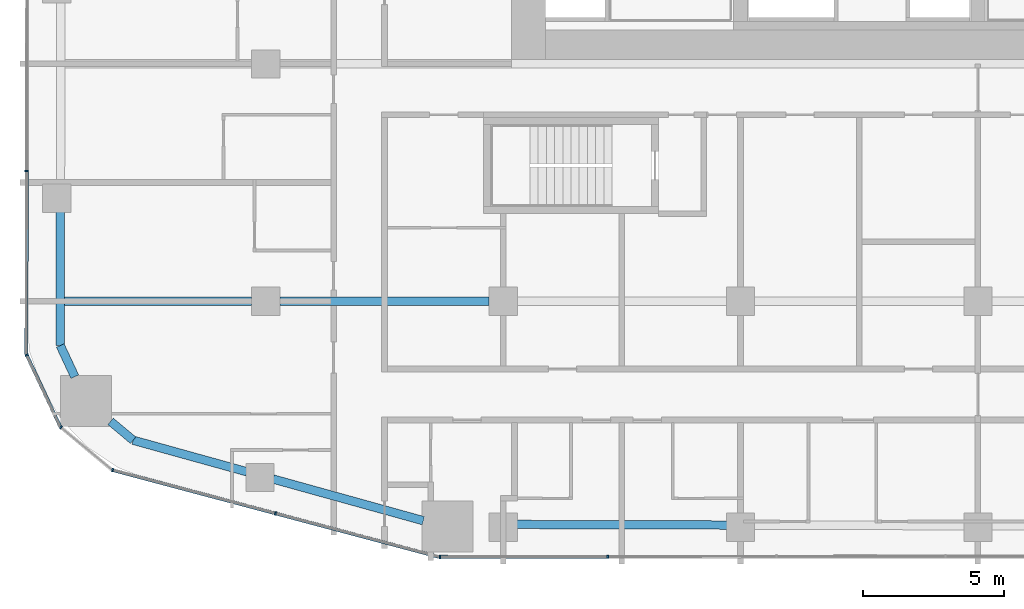
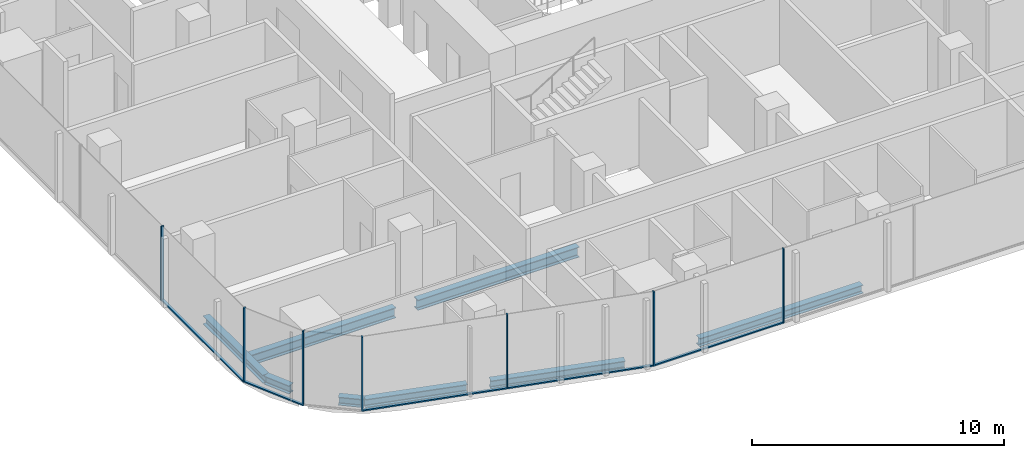
# One storey, part 2 of 26: 12 members, 8 beams, 5 elements without a shape of their own.
"""IFC4 building model written with IfcOpenShell, lengths in metres."""

from ifc_helpers import new_model, si_unit, direction, frame, origin, origin_2d, place, context, subcontext, project, spatial, rectangle, i_section, extrude, material, layer, layer_set, material_profile, profile_set, type_object, element, aggregate, save


model = new_model("IFC4")

# Units and contexts
model_context = context("Model", 3, precision=1e-05, world=origin(), true_north=direction((0.0, 1.0)))
body_context = subcontext(model_context, "Body", "Model", "MODEL_VIEW")
ifc_project = project(units=[si_unit("LENGTHUNIT", "METRE"), si_unit("AREAUNIT", "SQUARE_METRE"), si_unit("VOLUMEUNIT", "CUBIC_METRE"), si_unit("PLANEANGLEUNIT", "RADIAN"), si_unit("MASSUNIT", "GRAM", prefix="KILO")], contexts=[model_context])

# Site, building, storey
site_placement = place(None, origin())
site = spatial("IfcSite", under=ifc_project, at=site_placement, CompositionType="ELEMENT")
building_placement = place(site_placement, origin())
building = spatial("IfcBuilding", under=site, at=building_placement, Name="Marenta Gate Hotel Tower", CompositionType="ELEMENT")
storey_placement = place(building_placement, frame((0.0, 0.0, 58.10009765625)))
storey = spatial("IfcBuildingStorey", under=building, at=storey_placement, Name="L12", CompositionType="ELEMENT", Elevation=58.10009765625)

# Beams
ifc_material_1 = material(Name="Steel S355", Category="steel")
ifc_material_profile_1 = material_profile(ifc_material_1, i_section(OverallWidth=0.300048828125, OverallDepth=0.39990234375, WebThickness=0.013427734375, FlangeThickness=0.02392578125, FilletRadius=0.027099609375, at=origin_2d()), Name="HEB 400")
ifc_profile_set_1 = profile_set([ifc_material_profile_1], Name="Steel S355")
beam_type_1 = type_object("IfcBeamType", Name="Edge beam HEB 400", PredefinedType="SPANDREL", material=ifc_profile_set_1)
beam_1_placement = place(storey_placement, frame((-15.427734375, -16.166748046875, -0.460205078125), z_axis=(-0.963623684238, 0.267262782998, 0.0), x_axis=(-0.267262782998, -0.963623684238, 0.0)))
element("IfcBeam", 1, at=beam_1_placement, inside=storey, type_object=beam_type_1, Name="L12-EB-1", PredefinedType="SPANDREL", context=body_context, shape_type="SweptSolid", body=[
    extrude(i_section(OverallWidth=0.300048828125, OverallDepth=0.39990234375, WebThickness=0.013427734375, FlangeThickness=0.02392578125, FilletRadius=0.027099609375, at=origin_2d()), origin(), (0.0, 0.0, 1.0), 5.518310546875),
])
beam_2_placement = place(storey_placement, frame((-21.668212890625, -14.43603515625, -0.460205078125), z_axis=(-0.963617403201, 0.267285428426, 0.0), x_axis=(-0.267285428426, -0.963617403201, 0.0)))
element("IfcBeam", 2, at=beam_2_placement, inside=storey, type_object=beam_type_1, Name="L12-EB-2", PredefinedType="SPANDREL", context=body_context, shape_type="SweptSolid", body=[
    extrude(i_section(OverallWidth=0.300048828125, OverallDepth=0.39990234375, WebThickness=0.013427734375, FlangeThickness=0.02392578125, FilletRadius=0.027099609375, at=origin_2d()), origin(), (0.0, 0.0, 1.0), 4.1806640625),
])
beam_3_placement = place(storey_placement, frame((-25.69677734375, -13.318603515625, -0.460205078125), z_axis=(-0.767179911534, 0.641431978731, 0.0), x_axis=(-0.641431978731, -0.767179911534, 0.0)))
element("IfcBeam", 3, at=beam_3_placement, inside=storey, type_object=beam_type_1, Name="L12-EB-3", PredefinedType="SPANDREL", context=body_context, shape_type="SweptSolid", body=[
    extrude(i_section(OverallWidth=0.300048828125, OverallDepth=0.39990234375, WebThickness=0.013427734375, FlangeThickness=0.02392578125, FilletRadius=0.027099609375, at=origin_2d()), origin(), (0.0, 0.0, 1.0), 1.038818359375),
])
beam_4_placement = place(storey_placement, frame((-27.76025390625, -11.0693359375, -0.460205078125), z_axis=(-0.423291965192, 0.905993329006, 0.0), x_axis=(-0.905993329006, -0.423291965192, 0.0)))
element("IfcBeam", 4, at=beam_4_placement, inside=storey, type_object=beam_type_1, Name="L12-EB-4", PredefinedType="SPANDREL", context=body_context, shape_type="SweptSolid", body=[
    extrude(i_section(OverallWidth=0.300048828125, OverallDepth=0.39990234375, WebThickness=0.013427734375, FlangeThickness=0.02392578125, FilletRadius=0.027099609375, at=origin_2d()), origin(), (0.0, 0.0, 1.0), 1.21630859375),
])
beam_5_placement = place(storey_placement, frame((-28.275146484375, -9.96728515625, -0.460205078125), z_axis=(0.001386177947, 0.999999039255, 0.0), x_axis=(-0.999999039255, 0.001386177947, 0.0)))
element("IfcBeam", 5, at=beam_5_placement, inside=storey, type_object=beam_type_1, Name="L12-EB-5", PredefinedType="SPANDREL", context=body_context, shape_type="SweptSolid", body=[
    extrude(i_section(OverallWidth=0.300048828125, OverallDepth=0.39990234375, WebThickness=0.013427734375, FlangeThickness=0.02392578125, FilletRadius=0.027099609375, at=origin_2d()), origin(), (0.0, 0.0, 1.0), 4.75537109375),
])
beam_6_placement = place(storey_placement, frame((-4.659912109375, -16.31982421875, -0.460205078125), z_axis=(-0.999996151562, 0.002774321851, 0.0), x_axis=(-0.002774321851, -0.999996151562, 0.0)))
element("IfcBeam", 6, at=beam_6_placement, inside=storey, type_object=beam_type_1, Name="L12-EB-34", PredefinedType="SPANDREL", context=body_context, shape_type="SweptSolid", body=[
    extrude(i_section(OverallWidth=0.300048828125, OverallDepth=0.39990234375, WebThickness=0.013427734375, FlangeThickness=0.02392578125, FilletRadius=0.027099609375, at=origin_2d()), origin(), (0.0, 0.0, 1.0), 7.47998046875),
])
ifc_material_2 = material(Name="Steel S355", Category="steel")
ifc_material_profile_2 = material_profile(ifc_material_2, i_section(OverallWidth=0.300048828125, OverallDepth=0.5, WebThickness=0.014404296875, FlangeThickness=0.028076171875, FilletRadius=0.027099609375, at=origin_2d()), Name="HEB 500")
ifc_profile_set_2 = profile_set([ifc_material_profile_2], Name="Steel S355")
beam_type_2 = type_object("IfcBeamType", Name="Girder HEB 500", PredefinedType="BEAM", material=ifc_profile_set_2)
beam_7_placement = place(storey_placement, frame((-28.123046875, -8.39990234375, -0.510009765625), z_axis=(1.0, 0.0, 0.0), x_axis=(0.0, 1.0, 0.0)))
element("IfcBeam", 7, at=beam_7_placement, inside=storey, type_object=beam_type_2, Name="L12-GD-1", PredefinedType="BEAM", context=body_context, shape_type="SweptSolid", body=[
    extrude(i_section(OverallWidth=0.300048828125, OverallDepth=0.5, WebThickness=0.014404296875, FlangeThickness=0.028076171875, FilletRadius=0.027099609375, at=origin_2d()), origin(), (0.0, 0.0, 1.0), 6.623046875),
])
beam_8_placement = place(storey_placement, frame((-20.5, -8.39990234375, -0.510009765625), z_axis=(1.0, 0.0, 0.0), x_axis=(0.0, 1.0, 0.0)))
element("IfcBeam", 8, at=beam_8_placement, inside=storey, type_object=beam_type_2, Name="L12-GD-2", PredefinedType="BEAM", context=body_context, shape_type="SweptSolid", body=[
    extrude(i_section(OverallWidth=0.300048828125, OverallDepth=0.5, WebThickness=0.014404296875, FlangeThickness=0.028076171875, FilletRadius=0.027099609375, at=origin_2d()), origin(), (0.0, 0.0, 1.0), 7.39990234375),
])

# Curtain wall, member
ifc_material_3 = material(Name="Tinted insulated glass in bronze anodised frame", Category="glass")
ifc_layer = layer(ifc_material_3, 0.1201171875)
ifc_layer_set = layer_set([ifc_layer], Name="Tinted insulated glass in bronze anodised frame")
curtain_wall_type = type_object("IfcCurtainWallType", Name="Tower unitised curtain wall CW1", PredefinedType="NOTDEFINED", material=ifc_layer_set)
curtain_wall_1_placement = place(storey_placement, origin())
curtain_wall_1 = element("IfcCurtainWall", 9, at=curtain_wall_1_placement, inside=storey, type_object=curtain_wall_type, Name="CW1 run G03", PredefinedType="NOTDEFINED")
ifc_material_4 = material(Name="Bronze anodised aluminium", Category="aluminium")
ifc_material_profile_3 = material_profile(ifc_material_4, rectangle(XDim=0.1201171875, YDim=0.06005859375, at=origin_2d()), Name="Mullion CW1 60x120 bronze anodised aluminium")
ifc_profile_set_3 = profile_set([ifc_material_profile_3], Name="Bronze anodised aluminium")
member_type_1 = type_object("IfcMemberType", Name="Mullion CW1 60x120 bronze anodised aluminium", PredefinedType="MULLION", material=ifc_profile_set_3)
member_1_placement = place(storey_placement, frame((-29.463134765625, -3.78564453125, 0.0), z_axis=(0.0, 0.0, 1.0), x_axis=(0.99999877316, -0.00156642217, 0.0)))
member_1 = element("IfcMember", 10, at=member_1_placement, type_object=member_type_1, Name="CW1 mullion 6", PredefinedType="MULLION", context=body_context, shape_type="SweptSolid", body=[
    extrude(rectangle(XDim=0.1201171875, YDim=0.06005859375, at=origin_2d()), origin(), (0.0, 0.0, 1.0), 3.599853515625),
])

curtain_wall_2_placement = place(storey_placement, origin())
curtain_wall_2 = element("IfcCurtainWall", 11, at=curtain_wall_2_placement, inside=storey, type_object=curtain_wall_type, Name="CW1 run G04", PredefinedType="NOTDEFINED")
member_2_placement = place(storey_placement, frame((-29.460693359375, -10.30322265625, 0.0), z_axis=(0.0, 0.0, 1.0), x_axis=(0.905970129167, 0.423341617441, 0.0)))
member_2 = element("IfcMember", 12, at=member_2_placement, type_object=member_type_1, Name="CW1 mullion 1", PredefinedType="MULLION", context=body_context, shape_type="SweptSolid", body=[
    extrude(rectangle(XDim=0.1201171875, YDim=0.06005859375, at=origin_2d()), origin(), (0.0, 0.0, 1.0), 3.599853515625),
])

curtain_wall_3_placement = place(storey_placement, origin())
curtain_wall_3 = element("IfcCurtainWall", 13, at=curtain_wall_3_placement, inside=storey, type_object=curtain_wall_type, Name="CW1 run G05", PredefinedType="NOTDEFINED")
member_3_placement = place(storey_placement, frame((-28.25146484375, -12.86083984375, 0.0), z_axis=(0.0, 0.0, 1.0), x_axis=(0.641511984407, 0.767113012445, 0.0)))
member_3 = element("IfcMember", 14, at=member_3_placement, type_object=member_type_1, Name="CW1 mullion 1", PredefinedType="MULLION", context=body_context, shape_type="SweptSolid", body=[
    extrude(rectangle(XDim=0.1201171875, YDim=0.06005859375, at=origin_2d()), origin(), (0.0, 0.0, 1.0), 3.599853515625),
])
aggregate(curtain_wall_3, [member_3])

# Curtain wall, members
curtain_wall_4_placement = place(storey_placement, origin())
curtain_wall_4 = element("IfcCurtainWall", 15, at=curtain_wall_4_placement, inside=storey, type_object=curtain_wall_type, Name="CW1 run G06", PredefinedType="NOTDEFINED")
member_4_placement = place(storey_placement, frame((-26.42236328125, -14.3740234375, 0.0), z_axis=(0.0, 0.0, 1.0), x_axis=(0.257141675823, 0.966373715782, 0.0)))
member_4 = element("IfcMember", 16, at=member_4_placement, type_object=member_type_1, Name="CW1 mullion 1", PredefinedType="MULLION", context=body_context, shape_type="SweptSolid", body=[
    extrude(rectangle(XDim=0.1201171875, YDim=0.06005859375, at=origin_2d()), origin(), (0.0, 0.0, 1.0), 3.599853515625),
])
member_5_placement = place(storey_placement, frame((-20.660888671875, -15.906982421875, 0.0), z_axis=(0.0, 0.0, 1.0), x_axis=(0.257141675823, 0.966373715782, 0.0)))
member_5 = element("IfcMember", 17, at=member_5_placement, type_object=member_type_1, Name="CW1 mullion 2", PredefinedType="MULLION", context=body_context, shape_type="SweptSolid", body=[
    extrude(rectangle(XDim=0.1201171875, YDim=0.06005859375, at=origin_2d()), origin(), (0.0, 0.0, 1.0), 3.599853515625),
])

curtain_wall_5_placement = place(storey_placement, origin())
curtain_wall_5 = element("IfcCurtainWall", 18, at=curtain_wall_5_placement, inside=storey, type_object=curtain_wall_type, Name="CW1 run G07", PredefinedType="NOTDEFINED")
member_6_placement = place(storey_placement, frame((-14.840576171875, -17.44775390625, 0.0), z_axis=(0.0, 0.0, 1.0), x_axis=(-0.001161921639, 0.999999324969, 0.0)))
member_6 = element("IfcMember", 19, at=member_6_placement, type_object=member_type_1, Name="CW1 mullion 1", PredefinedType="MULLION", context=body_context, shape_type="SweptSolid", body=[
    extrude(rectangle(XDim=0.1201171875, YDim=0.06005859375, at=origin_2d()), origin(), (0.0, 0.0, 1.0), 3.599853515625),
])
member_7_placement = place(storey_placement, frame((-8.897705078125, -17.44091796875, 0.0), z_axis=(0.0, 0.0, 1.0), x_axis=(-0.001161921639, 0.999999324969, 0.0)))
member_7 = element("IfcMember", 20, at=member_7_placement, type_object=member_type_1, Name="CW1 mullion 2", PredefinedType="MULLION", context=body_context, shape_type="SweptSolid", body=[
    extrude(rectangle(XDim=0.1201171875, YDim=0.06005859375, at=origin_2d()), origin(), (0.0, 0.0, 1.0), 3.599853515625),
])

# Member
ifc_material_5 = material(Name="Bronze anodised aluminium", Category="aluminium")
ifc_material_profile_4 = material_profile(ifc_material_5, rectangle(XDim=0.1201171875, YDim=0.06005859375, at=origin_2d()), Name="Transom CW1 60x120 bronze anodised aluminium")
ifc_profile_set_4 = profile_set([ifc_material_profile_4], Name="Bronze anodised aluminium")
member_type_2 = type_object("IfcMemberType", Name="Transom CW1 60x120 bronze anodised aluminium", PredefinedType="USERDEFINED", material=ifc_profile_set_4)
member_8_placement = place(storey_placement, frame((-29.463134765625, -3.815673828125, 0.02978515625), z_axis=(-0.001587239601, -0.999998740334, 0.0), x_axis=(0.999998740334, -0.001587239601, 0.0)))
member_8 = element("IfcMember", 21, at=member_8_placement, type_object=member_type_2, Name="CW1 transom 6.1", ObjectType="TRANSOM", PredefinedType="USERDEFINED", context=body_context, shape_type="SweptSolid", body=[
    extrude(rectangle(XDim=0.1201171875, YDim=0.06005859375, at=origin_2d()), origin(), (0.0, 0.0, 1.0), 6.460205078125),
])

aggregate(curtain_wall_1, [member_1, member_8])

member_9_placement = place(storey_placement, frame((-29.447998046875, -10.330322265625, 0.02978515625), z_axis=(0.423348255175, -0.905967027457, 0.0), x_axis=(0.905967027457, 0.423348255175, 0.0)))
member_9 = element("IfcMember", 22, at=member_9_placement, type_object=member_type_2, Name="CW1 transom 1.1", ObjectType="TRANSOM", PredefinedType="USERDEFINED", context=body_context, shape_type="SweptSolid", body=[
    extrude(rectangle(XDim=0.1201171875, YDim=0.06005859375, at=origin_2d()), origin(), (0.0, 0.0, 1.0), 2.772216796875),
])

aggregate(curtain_wall_2, [member_2, member_9])

member_10_placement = place(storey_placement, frame((-26.393310546875, -14.3818359375, 0.02978515625), z_axis=(0.966374861095, -0.257137371541, 0.0), x_axis=(0.257137371541, 0.966374861095, 0.0)))
member_10 = element("IfcMember", 23, at=member_10_placement, type_object=member_type_2, Name="CW1 transom 1.1", ObjectType="TRANSOM", PredefinedType="USERDEFINED", context=body_context, shape_type="SweptSolid", body=[
    extrude(rectangle(XDim=0.1201171875, YDim=0.06005859375, at=origin_2d()), origin(), (0.0, 0.0, 1.0), 5.90185546875),
])

member_11_placement = place(storey_placement, frame((-20.632080078125, -15.914794921875, 0.02978515625), z_axis=(0.966378199773, -0.25712482378, 0.0), x_axis=(0.25712482378, 0.966378199773, 0.0)))
member_11 = element("IfcMember", 24, at=member_11_placement, type_object=member_type_2, Name="CW1 transom 2.1", ObjectType="TRANSOM", PredefinedType="USERDEFINED", context=body_context, shape_type="SweptSolid", body=[
    extrude(rectangle(XDim=0.1201171875, YDim=0.06005859375, at=origin_2d()), origin(), (0.0, 0.0, 1.0), 5.9619140625),
])

aggregate(curtain_wall_4, [member_4, member_5, member_10, member_11])

member_12_placement = place(storey_placement, frame((-14.810546875, -17.44775390625, 0.02978515625), z_axis=(0.999999324857, 0.001162017808, 0.0), x_axis=(-0.001162017808, 0.999999324857, 0.0)))
member_12 = element("IfcMember", 25, at=member_12_placement, type_object=member_type_2, Name="CW1 transom 1.1", ObjectType="TRANSOM", PredefinedType="USERDEFINED", context=body_context, shape_type="SweptSolid", body=[
    extrude(rectangle(XDim=0.1201171875, YDim=0.06005859375, at=origin_2d()), origin(), (0.0, 0.0, 1.0), 5.8828125),
])

aggregate(curtain_wall_5, [member_6, member_7, member_12])

save(model, "model.ifc")
